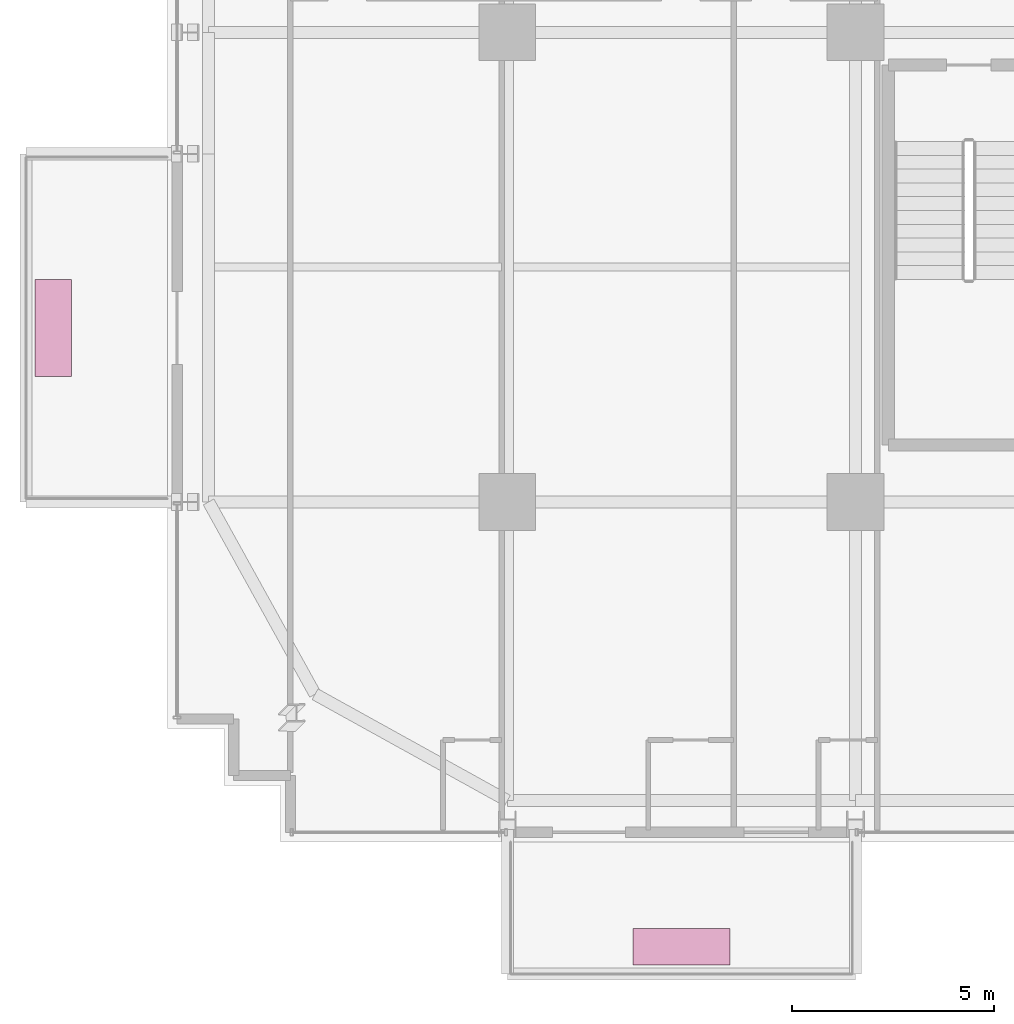
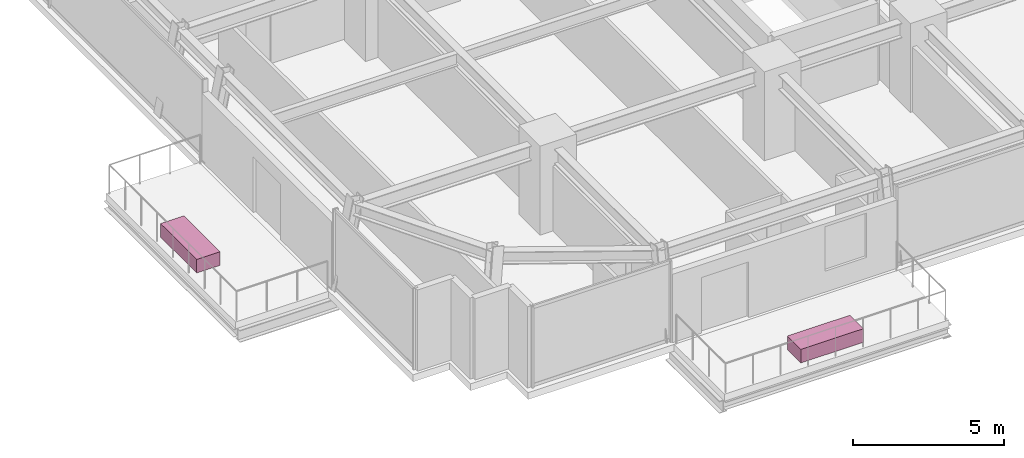
# One storey, part 35 of 35: 2 furnishings.
"""IFC4 building model written with IfcOpenShell, lengths in metres."""

from ifc_helpers import new_model, si_unit, direction, frame, origin, origin_2d, place, context, subcontext, project, spatial, rectangle, extrude, source, transform, mapped, material, type_object, element, save


model = new_model("IFC4")

# Units and contexts
model_context = context("Model", 3, precision=1e-05, world=origin(), true_north=direction((0.0, 1.0)))
body_context = subcontext(model_context, "Body", "Model", "MODEL_VIEW")
ifc_project = project(units=[si_unit("LENGTHUNIT", "METRE"), si_unit("AREAUNIT", "SQUARE_METRE"), si_unit("VOLUMEUNIT", "CUBIC_METRE"), si_unit("PLANEANGLEUNIT", "RADIAN"), si_unit("MASSUNIT", "GRAM", prefix="KILO")], contexts=[model_context])

# Site, building, storey
site_placement = place(None, origin())
site = spatial("IfcSite", under=ifc_project, at=site_placement, CompositionType="ELEMENT")
building_placement = place(site_placement, origin())
building = spatial("IfcBuilding", under=site, at=building_placement, Name="Nahalor Promenade Grand Hotel", CompositionType="ELEMENT")
storey_placement = place(building_placement, frame((0.0, 0.0, 79.85009765625)))
storey = spatial("IfcBuildingStorey", under=building, at=storey_placement, Name="L19", CompositionType="ELEMENT", Elevation=79.85009765625)

# Furnishings
ifc_material = material(Name="Vegetated Volcanic-Lapilli Tree Planter", Category="earth")
furnishing_element_type = type_object("IfcFurnishingElementType", Name="Planter-VerticalForest-Box", material=ifc_material)
shared_shape = source(origin(), body_context, "Body", "SweptSolid", [
    extrude(rectangle(XDim=2.39990234375, YDim=0.89990234375, at=origin_2d()), origin(), (0.0, 0.0, 1.0), 0.550048828125),
])
for number, where, z_axis, x_axis, name in (
    (1, (-12.699951171875, -27.989990234375, 0.0), (0.0, 0.0, 1.0), (1.0, 0.0, 0.0), "L19 Balcony Structural Tree Planter 1"),
    (2, (-28.219970703125, -12.699951171875, 0.0), (0.0, 0.0, 1.0), (0.0, 1.0, 0.0), "L19 Balcony Structural Tree Planter 2"),
):
    element("IfcFurnishingElement", number, at=place(storey_placement, frame(where, z_axis=z_axis, x_axis=x_axis)), inside=storey, type_object=furnishing_element_type, Name=name, ObjectType="PLANTER", context=body_context, shape_type="MappedRepresentation", body=[
        mapped(shared_shape, transform((0.0, 0.0, 0.0), scale=1.0)),
    ])

save(model, "model.ifc")
